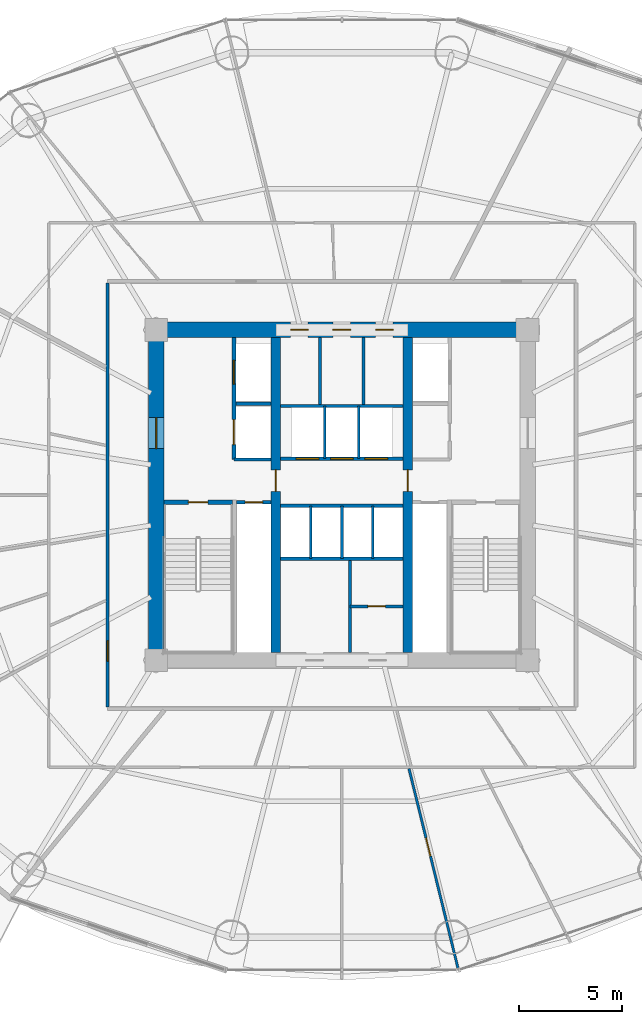
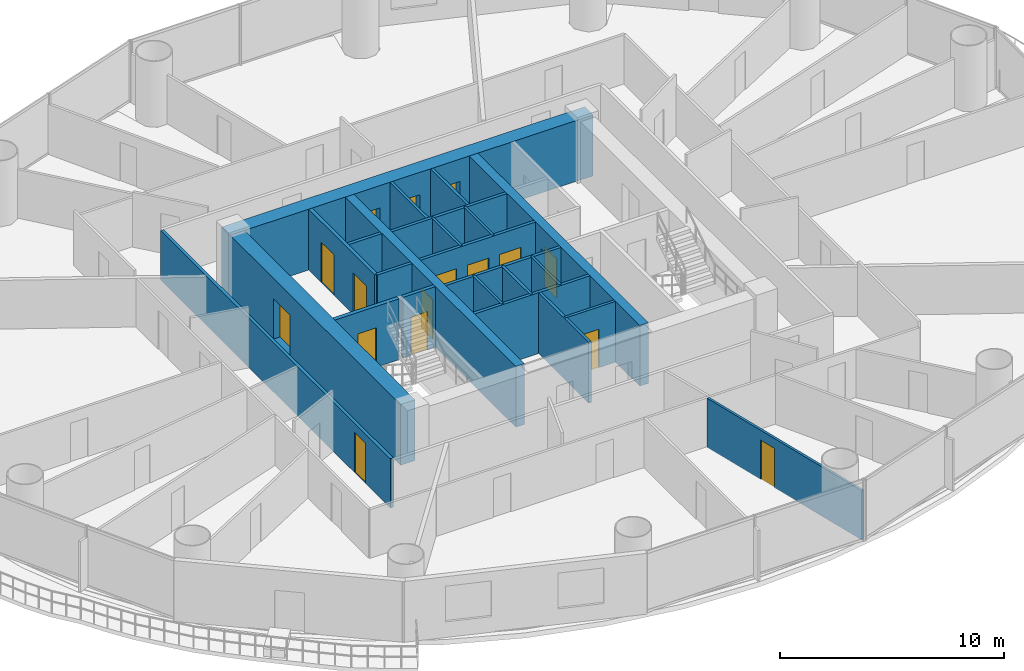
# One storey, part 23 of 29: 24 walls, 16 doors, 16 openings.
"""IFC4 building model written with IfcOpenShell, lengths in metres."""

from ifc_helpers import new_model, si_unit, direction, frame, frame_2d, origin, place, context, subcontext, project, spatial, rectangle, extrude, source, transform, mapped, material, layer, layer_set, type_object, element, fill, save


model = new_model("IFC4")

# Units and contexts
model_context = context("Model", 3, precision=1e-05, world=origin(), true_north=direction((-0.2419218956, 0.970295726276)))
body_context = subcontext(model_context, "Body", "Model", "MODEL_VIEW")
ifc_project = project(units=[si_unit("LENGTHUNIT", "METRE"), si_unit("AREAUNIT", "SQUARE_METRE"), si_unit("VOLUMEUNIT", "CUBIC_METRE"), si_unit("PLANEANGLEUNIT", "RADIAN"), si_unit("MASSUNIT", "GRAM", prefix="KILO")], contexts=[model_context])

# Site, building, storey
site_placement = place(None, origin())
site = spatial("IfcSite", under=ifc_project, at=site_placement, CompositionType="ELEMENT")
building_placement = place(site_placement, origin())
building = spatial("IfcBuilding", under=site, at=building_placement, Name="Cobrevalo Terracotta Tower", CompositionType="ELEMENT")
storey_placement = place(building_placement, frame((0.0, 0.0, 45.60009765625)))
storey = spatial("IfcBuildingStorey", under=building, at=storey_placement, Name="L11", CompositionType="ELEMENT", Elevation=45.60009765625)

# Wall, openings, doors
ifc_material_1 = material(Name="Concrete C60", Category="concrete")
ifc_layer_1 = layer(ifc_material_1, 0.75)
ifc_layer_set_1 = layer_set([ifc_layer_1], Name="Concrete C60")
wall_type_1 = type_object("IfcWallType", Name="Core shear wall 750 mm Concrete C60", PredefinedType="SHEAR", material=ifc_layer_set_1)
wall_1_placement = place(storey_placement, frame((28.625, 34.800048828125, 0.0), z_axis=(0.0, 0.0, 1.0), x_axis=(1.0, 0.0, 0.0)))
wall_1 = element("IfcWall", 1, at=wall_1_placement, inside=storey, type_object=wall_type_1, Name="L11 north core shear wall", PredefinedType="SHEAR", context=body_context, shape_type="SweptSolid", body=[
    extrude(rectangle(XDim=18.75, YDim=0.75, at=frame_2d((9.375, 0.0))), origin(), (0.0, 0.0, 1.0), 3.31982421875),
])
opening_1_placement = place(wall_1_placement, frame((6.887451171875, 0.0, 0.0)))
opening_1 = element("IfcOpeningElement", 2, at=opening_1_placement, cuts=wall_1, Name="Opening ID-22", PredefinedType="OPENING", context=body_context, shape_type="SweptSolid", body=[
    extrude(rectangle(XDim=0.85009765625, YDim=2.10009765625, at=frame_2d((0.425048828125, 1.050048828125))), frame((0.0, 0.385009765625, 0.0), z_axis=(0.0, -1.0, 0.0), x_axis=(1.0, 0.0, 0.0)), (0.0, 0.0, 1.0), 0.77001953125),
])
opening_2_placement = place(wall_1_placement, frame((8.945068359375, 0.0, 0.0)))
opening_2 = element("IfcOpeningElement", 3, at=opening_2_placement, cuts=wall_1, Name="Opening ID-07", PredefinedType="OPENING", context=body_context, shape_type="SweptSolid", body=[
    extrude(rectangle(XDim=0.860107421875, YDim=2.10009765625, at=frame_2d((0.43017578125, 1.050048828125))), frame((0.0, 0.385009765625, 0.0), z_axis=(0.0, -1.0, 0.0), x_axis=(1.0, 0.0, 0.0)), (0.0, 0.0, 1.0), 0.77001953125),
])
opening_3_placement = place(wall_1_placement, frame((11.012451171875, 0.0, 0.0)))
opening_3 = element("IfcOpeningElement", 4, at=opening_3_placement, cuts=wall_1, Name="Opening ID-22", PredefinedType="OPENING", context=body_context, shape_type="SweptSolid", body=[
    extrude(rectangle(XDim=0.85009765625, YDim=2.10009765625, at=frame_2d((0.425048828125, 1.050048828125))), frame((0.0, 0.385009765625, 0.0), z_axis=(0.0, -1.0, 0.0), x_axis=(1.0, 0.0, 0.0)), (0.0, 0.0, 1.0), 0.77001953125),
])
ifc_material_2 = material(Name="Powder-coated steel", Category="steel")
door_type_1 = type_object("IfcDoorType", Name="Riser shaft & meter closet fire access door 850x2100 EI 60", OperationType="NOTDEFINED", PredefinedType="DOOR", material=ifc_material_2)
shared_shape_1 = source(origin(), body_context, "Body", "SweptSolid", [
    extrude(rectangle(XDim=0.85009765625, YDim=2.10009765625, at=frame_2d((0.425048828125, 1.050048828125))), frame((0.0, 0.02490234375, 0.0), z_axis=(0.0, -1.0, 0.0), x_axis=(1.0, 0.0, 0.0)), (0.0, 0.0, 1.0), 0.050048828125),
])
door_1_placement = place(opening_1_placement, frame((0.85009765625, 0.0, 0.0), z_axis=(0.0, 0.0, 1.0), x_axis=(-1.0, 0.0, 0.0)))
door_1 = element("IfcDoor", 5, at=door_1_placement, inside=storey, type_object=door_type_1, Name="L11 core north service door Housekeeping Linen Store", OperationType="SINGLE_SWING_LEFT", OverallHeight=2.10009765625, OverallWidth=0.85009765625, PredefinedType="DOOR", context=body_context, shape_type="MappedRepresentation", body=[
    mapped(shared_shape_1, transform((0.0, 0.0, 0.0), scale=1.0)),
])
fill(opening_1, door_1)
door_2_placement = place(opening_3_placement, frame((0.85009765625, 0.0, 0.0), z_axis=(0.0, 0.0, 1.0), x_axis=(-1.0, 0.0, 0.0)))
door_2 = element("IfcDoor", 6, at=door_2_placement, inside=storey, type_object=door_type_1, Name="L11 core north service door Floor BMS Mechanical Plant", OperationType="SINGLE_SWING_LEFT", OverallHeight=2.10009765625, OverallWidth=0.85009765625, PredefinedType="DOOR", context=body_context, shape_type="MappedRepresentation", body=[
    mapped(shared_shape_1, transform((0.0, 0.0, 0.0), scale=1.0)),
])
fill(opening_3, door_2)
ifc_material_3 = material(Name="Fire-rated moisture-sealed timber", Category="wood")
door_type_2 = type_object("IfcDoorType", Name="Core & podium fire-rated accessible WC door 860x2100 EI 60", OperationType="NOTDEFINED", PredefinedType="DOOR", material=ifc_material_3)
shared_shape_2 = source(origin(), body_context, "Body", "SweptSolid", [
    extrude(rectangle(XDim=0.860107421875, YDim=2.10009765625, at=frame_2d((0.43017578125, 1.050048828125))), frame((0.0, 0.02490234375, 0.0), z_axis=(0.0, -1.0, 0.0), x_axis=(1.0, 0.0, 0.0)), (0.0, 0.0, 1.0), 0.050048828125),
])
door_3_placement = place(opening_2_placement, frame((0.860107421875, 0.0, 0.0), z_axis=(0.0, 0.0, 1.0), x_axis=(-1.0, 0.0, 0.0)))
door_3 = element("IfcDoor", 7, at=door_3_placement, inside=storey, type_object=door_type_2, Name="L11 core north service door Floor Service Toilet WC", OperationType="SINGLE_SWING_RIGHT", OverallHeight=2.10009765625, OverallWidth=0.860107421875, PredefinedType="DOOR", context=body_context, shape_type="MappedRepresentation", body=[
    mapped(shared_shape_2, transform((0.0, 0.0, 0.0), scale=1.0)),
])
fill(opening_2, door_3)

# Wall, opening, door
wall_2_placement = place(storey_placement, frame((29.0, 19.175048828125, 0.0), z_axis=(0.0, 0.0, 1.0), x_axis=(0.0, 1.0, 0.0)))
wall_2 = element("IfcWall", 8, at=wall_2_placement, inside=storey, type_object=wall_type_1, Name="L11 west core shear wall", PredefinedType="SHEAR", context=body_context, shape_type="SweptSolid", body=[
    extrude(rectangle(XDim=15.25, YDim=0.75, at=frame_2d((7.625, 0.0))), origin(), (0.0, 0.0, 1.0), 3.31982421875),
])
opening_4_placement = place(wall_2_placement, frame((9.875, 0.0, 0.0)))
opening_4 = element("IfcOpeningElement", 9, at=opening_4_placement, cuts=wall_2, Name="Opening ID-14", PredefinedType="OPENING", context=body_context, shape_type="SweptSolid", body=[
    extrude(rectangle(XDim=1.5, YDim=2.199951171875, at=frame_2d((0.75, 1.10009765625))), frame((0.0, 0.385009765625, 0.0), z_axis=(0.0, -1.0, 0.0), x_axis=(1.0, 0.0, 0.0)), (0.0, 0.0, 1.0), 0.77001953125),
])
ifc_material_4 = material(Name="Galvanized fire-rated steel", Category="steel")
door_type_3 = type_object("IfcDoorType", Name="Core cross-lobby double fire door 1500x2200 EI 90", OperationType="NOTDEFINED", PredefinedType="DOOR", material=ifc_material_4)
shared_shape_3 = source(origin(), body_context, "Body", "SweptSolid", [
    extrude(rectangle(XDim=1.5, YDim=2.199951171875, at=frame_2d((0.75, 1.10009765625))), frame((0.0, 0.02490234375, 0.0), z_axis=(0.0, -1.0, 0.0), x_axis=(1.0, 0.0, 0.0)), (0.0, 0.0, 1.0), 0.050048828125),
])
door_4_placement = place(opening_4_placement, origin())
door_4 = element("IfcDoor", 10, at=door_4_placement, inside=storey, type_object=door_type_3, Name="L11 west firefighting lobby entrance door", OperationType="DOUBLE_DOOR_SINGLE_SWING", OverallHeight=2.199951171875, OverallWidth=1.5, PredefinedType="DOOR", context=body_context, shape_type="MappedRepresentation", body=[
    mapped(shared_shape_3, transform((0.0, 0.0, 0.0), scale=1.0)),
])
fill(opening_4, door_4)

# Walls
ifc_material_5 = material(Name="Gypsum board on steel stud", Category="steel")
ifc_layer_2 = layer(ifc_material_5, 0.159912109375)
ifc_layer_set_2 = layer_set([ifc_layer_2], Name="Gypsum board on steel stud")
wall_type_2 = type_object("IfcWallType", Name="Fire-rated corridor acoustic partition wall 160 mm", PredefinedType="PARTITIONING", material=ifc_layer_set_2)
wall_3_placement = place(storey_placement, frame((32.860107421875, 31.219970703125, 0.0), z_axis=(0.0, 0.0, 1.0), x_axis=(1.0, 0.0, 0.0)))
element("IfcWall", 11, at=wall_3_placement, inside=storey, type_object=wall_type_2, Name="L11 interior partition IW-L11-FF1-M", PredefinedType="PARTITIONING", context=body_context, shape_type="SweptSolid", body=[
    extrude(rectangle(XDim=1.71484375, YDim=0.159912109375, at=frame_2d((0.857421875, 0.0))), origin(), (0.0, 0.0, 1.0), 3.31982421875),
])
wall_4_placement = place(storey_placement, frame((32.77001953125, 28.52001953125, 0.0), z_axis=(0.0, 0.0, 1.0), x_axis=(1.0, 0.0, 0.0)))
element("IfcWall", 12, at=wall_4_placement, inside=storey, type_object=wall_type_2, Name="L11 interior partition IW-L11-FF1-S", PredefinedType="PARTITIONING", context=body_context, shape_type="SweptSolid", body=[
    extrude(rectangle(XDim=1.804931640625, YDim=0.159912109375, at=frame_2d((0.90234375, 0.0))), origin(), (0.0, 0.0, 1.0), 3.31982421875),
])

# Wall, openings, doors
wall_5_placement = place(storey_placement, frame((35.02490234375, 28.56005859375, 0.0), z_axis=(0.0, 0.0, 1.0), x_axis=(1.0, 0.0, 0.0)))
wall_5 = element("IfcWall", 13, at=wall_5_placement, inside=storey, type_object=wall_type_2, Name="L11 interior partition IW-L11-LB-S", PredefinedType="PARTITIONING", context=body_context, shape_type="SweptSolid", body=[
    extrude(rectangle(XDim=5.9501953125, YDim=0.159912109375, at=frame_2d((2.97509765625, 0.0))), origin(), (0.0, 0.0, 1.0), 3.31982421875),
])
opening_5_placement = place(wall_5_placement, frame((0.760009765625, 0.0, 0.0)))
opening_5 = element("IfcOpeningElement", 14, at=opening_5_placement, cuts=wall_5, Name="Opening LD-01", PredefinedType="OPENING", context=body_context, shape_type="SweptSolid", body=[
    extrude(rectangle(XDim=1.10009765625, YDim=2.199951171875, at=frame_2d((0.550048828125, 1.10009765625))), frame((0.0, 0.08984375, 0.0), z_axis=(0.0, -1.0, 0.0), x_axis=(1.0, 0.0, 0.0)), (0.0, 0.0, 1.0), 0.179931640625),
])
opening_6_placement = place(wall_5_placement, frame((2.425048828125, 0.0, 0.0)))
opening_6 = element("IfcOpeningElement", 15, at=opening_6_placement, cuts=wall_5, Name="Opening LD-01", PredefinedType="OPENING", context=body_context, shape_type="SweptSolid", body=[
    extrude(rectangle(XDim=1.10009765625, YDim=2.199951171875, at=frame_2d((0.550048828125, 1.10009765625))), frame((0.0, 0.08984375, 0.0), z_axis=(0.0, -1.0, 0.0), x_axis=(1.0, 0.0, 0.0)), (0.0, 0.0, 1.0), 0.179931640625),
])
opening_7_placement = place(wall_5_placement, frame((4.090087890625, 0.0, 0.0)))
opening_7 = element("IfcOpeningElement", 16, at=opening_7_placement, cuts=wall_5, Name="Opening LD-01", PredefinedType="OPENING", context=body_context, shape_type="SweptSolid", body=[
    extrude(rectangle(XDim=1.10009765625, YDim=2.199951171875, at=frame_2d((0.550048828125, 1.10009765625))), frame((0.0, 0.08984375, 0.0), z_axis=(0.0, -1.0, 0.0), x_axis=(1.0, 0.0, 0.0)), (0.0, 0.0, 1.0), 0.179931640625),
])
ifc_material_6 = material(Name="Brushed stainless steel", Category="steel")
door_type_4 = type_object("IfcDoorType", Name="Passenger lift landing bi-parting sliding door 1100x2200 EI 90", OperationType="DOUBLE_DOOR_SLIDING", PredefinedType="DOOR", material=ifc_material_6)
shared_shape_4 = source(origin(), body_context, "Body", "SweptSolid", [
    extrude(rectangle(XDim=1.10009765625, YDim=2.199951171875, at=frame_2d((0.550048828125, 1.10009765625))), frame((0.0, 0.02490234375, 0.0), z_axis=(0.0, -1.0, 0.0), x_axis=(1.0, 0.0, 0.0)), (0.0, 0.0, 1.0), 0.050048828125),
])
door_5_placement = place(opening_5_placement, origin())
door_5 = element("IfcDoor", 17, at=door_5_placement, inside=storey, type_object=door_type_4, Name="L11 lift landing door PL-L1", OperationType="DOUBLE_DOOR_SLIDING", OverallHeight=2.199951171875, OverallWidth=1.10009765625, PredefinedType="DOOR", context=body_context, shape_type="MappedRepresentation", body=[
    mapped(shared_shape_4, transform((0.0, 0.0, 0.0), scale=1.0)),
])
fill(opening_5, door_5)
door_6_placement = place(opening_6_placement, origin())
door_6 = element("IfcDoor", 18, at=door_6_placement, inside=storey, type_object=door_type_4, Name="L11 lift landing door PL-L2", OperationType="DOUBLE_DOOR_SLIDING", OverallHeight=2.199951171875, OverallWidth=1.10009765625, PredefinedType="DOOR", context=body_context, shape_type="MappedRepresentation", body=[
    mapped(shared_shape_4, transform((0.0, 0.0, 0.0), scale=1.0)),
])
fill(opening_6, door_6)
door_7_placement = place(opening_7_placement, origin())
door_7 = element("IfcDoor", 19, at=door_7_placement, inside=storey, type_object=door_type_4, Name="L11 lift landing door PL-L3", OperationType="DOUBLE_DOOR_SLIDING", OverallHeight=2.199951171875, OverallWidth=1.10009765625, PredefinedType="DOOR", context=body_context, shape_type="MappedRepresentation", body=[
    mapped(shared_shape_4, transform((0.0, 0.0, 0.0), scale=1.0)),
])
fill(opening_7, door_7)

# Walls
for number, where, z_axis, x_axis, name in (
    (20, (35.02490234375, 31.1201171875, 0.0), (0.0, 0.0, 1.0), (1.0, 0.0, 0.0), "L11 interior partition IW-L11-LB-N"),
    (21, (35.02490234375, 26.280029296875, 0.0), (0.0, 0.0, 1.0), (1.0, 0.0, 0.0), "L11 interior partition IW-L11-MB-N"),
    (22, (35.02490234375, 23.719970703125, 0.0), (0.0, 0.0, 1.0), (1.0, 0.0, 0.0), "L11 interior partition IW-L11-MB-S"),
):
    element("IfcWall", number, at=place(storey_placement, frame(where, z_axis=z_axis, x_axis=x_axis)), inside=storey, type_object=wall_type_2, Name=name, PredefinedType="PARTITIONING", context=body_context, shape_type="SweptSolid", body=[
        extrude(rectangle(XDim=5.9501953125, YDim=0.159912109375, at=frame_2d((2.97509765625, 0.0))), origin(), (0.0, 0.0, 1.0), 3.31982421875),
    ])

# Wall, opening, door
wall_6_placement = place(storey_placement, frame((26.64501953125, 16.52490234375, 0.0), z_axis=(0.0, 0.0, 1.0), x_axis=(0.0, 1.0, 0.0)))
wall_6 = element("IfcWall", 23, at=wall_6_placement, inside=storey, type_object=wall_type_2, Name="L11 interior partition IW-L11-COR-W", PredefinedType="PARTITIONING", context=body_context, shape_type="SweptSolid", body=[
    extrude(rectangle(XDim=20.550048828125, YDim=0.159912109375, at=frame_2d((10.27490234375, 0.0))), origin(), (0.0, 0.0, 1.0), 2.68798828125),
])
opening_8_placement = place(wall_6_placement, frame((2.224365234375, 0.0, 0.0)))
opening_8 = element("IfcOpeningElement", 24, at=opening_8_placement, cuts=wall_6, Name="Opening ID-05", PredefinedType="OPENING", context=body_context, shape_type="SweptSolid", body=[
    extrude(rectangle(XDim=0.97998046875, YDim=2.199951171875, at=frame_2d((0.489990234375, 1.10009765625))), frame((0.0, 0.08984375, 0.0), z_axis=(0.0, -1.0, 0.0), x_axis=(1.0, 0.0, 0.0)), (0.0, 0.0, 1.0), 0.179931640625),
])
ifc_material_7 = material(Name="Solid hardwood timber", Category="wood")
door_type_5 = type_object("IfcDoorType", Name="Residence entrance fire-rated acoustic timber door 980x2200 EI 60", OperationType="NOTDEFINED", PredefinedType="DOOR", material=ifc_material_7)
shared_shape_5 = source(origin(), body_context, "Body", "SweptSolid", [
    extrude(rectangle(XDim=0.97998046875, YDim=2.199951171875, at=frame_2d((0.489990234375, 1.10009765625))), frame((0.0, 0.02490234375, 0.0), z_axis=(0.0, -1.0, 0.0), x_axis=(1.0, 0.0, 0.0)), (0.0, 0.0, 1.0), 0.050048828125),
])
door_8_placement = place(opening_8_placement, origin())
door_8 = element("IfcDoor", 25, at=door_8_placement, inside=storey, type_object=door_type_5, Name="Flat L11C fire-rated apartment entrance door", OperationType="SINGLE_SWING_LEFT", OverallHeight=2.199951171875, OverallWidth=0.97998046875, PredefinedType="DOOR", context=body_context, shape_type="MappedRepresentation", body=[
    mapped(shared_shape_5, transform((0.0, 0.0, 0.0), scale=1.0)),
])
fill(opening_8, door_8)

ifc_layer_3 = layer(ifc_material_5, 0.179931640625)
ifc_layer_set_3 = layer_set([ifc_layer_3], Name="Gypsum board on steel stud")
wall_type_3 = type_object("IfcWallType", Name="Fire-rated shaft & lobby acoustic partition wall 180 mm", PredefinedType="PARTITIONING", material=ifc_layer_set_3)
wall_7_placement = place(storey_placement, frame((32.89990234375, 26.449951171875, 0.0), z_axis=(0.0, 0.0, 1.0), x_axis=(1.0, 0.0, 0.0)))
wall_7 = element("IfcWall", 26, at=wall_7_placement, inside=storey, type_object=wall_type_3, Name="L11 interior partition IW-L11-RSW-N", PredefinedType="PARTITIONING", context=body_context, shape_type="SweptSolid", body=[
    extrude(rectangle(XDim=1.675048828125, YDim=0.179931640625, at=frame_2d((0.83740234375, 0.0))), origin(), (0.0, 0.0, 1.0), 3.31982421875),
])
opening_9_placement = place(wall_7_placement, frame((0.41259765625, 0.0, 0.0)))
opening_9 = element("IfcOpeningElement", 27, at=opening_9_placement, cuts=wall_7, Name="Opening ID-22", PredefinedType="OPENING", context=body_context, shape_type="SweptSolid", body=[
    extrude(rectangle(XDim=0.85009765625, YDim=2.10009765625, at=frame_2d((0.425048828125, 1.050048828125))), frame((0.0, 0.10009765625, 0.0), z_axis=(0.0, -1.0, 0.0), x_axis=(1.0, 0.0, 0.0)), (0.0, 0.0, 1.0), 0.199951171875),
])
door_9_placement = place(opening_9_placement, origin())
door_9 = element("IfcDoor", 28, at=door_9_placement, inside=storey, type_object=door_type_1, Name="L11 riser access door RSW", OperationType="SINGLE_SWING_LEFT", OverallHeight=2.10009765625, OverallWidth=0.85009765625, PredefinedType="DOOR", context=body_context, shape_type="MappedRepresentation", body=[
    mapped(shared_shape_1, transform((0.0, 0.0, 0.0), scale=1.0)),
])
fill(opening_9, door_9)

# Wall, openings, doors
wall_8_placement = place(storey_placement, frame((32.77001953125, 28.52001953125, 0.0), z_axis=(0.0, 0.0, 1.0), x_axis=(0.0, 1.0, 0.0)))
wall_8 = element("IfcWall", 29, at=wall_8_placement, inside=storey, type_object=wall_type_3, Name="L11 interior partition IW-L11-FF1-W", PredefinedType="PARTITIONING", context=body_context, shape_type="SweptSolid", body=[
    extrude(rectangle(XDim=5.905029296875, YDim=0.179931640625, at=frame_2d((2.95263671875, 0.0))), origin(), (0.0, 0.0, 1.0), 3.31982421875),
])
opening_10_placement = place(wall_8_placement, frame((3.655029296875, 0.0, 0.0)))
opening_10 = element("IfcOpeningElement", 30, at=opening_10_placement, cuts=wall_8, Name="Opening LD-02", PredefinedType="OPENING", context=body_context, shape_type="SweptSolid", body=[
    extrude(rectangle(XDim=1.14990234375, YDim=2.199951171875, at=frame_2d((0.574951171875, 1.10009765625))), frame((0.0, 0.10009765625, 0.0), z_axis=(0.0, -1.0, 0.0), x_axis=(1.0, 0.0, 0.0)), (0.0, 0.0, 1.0), 0.199951171875),
])
opening_11_placement = place(wall_8_placement, frame((0.72998046875, 0.0, 0.0)))
opening_11 = element("IfcOpeningElement", 31, at=opening_11_placement, cuts=wall_8, Name="Opening LD-03", PredefinedType="OPENING", context=body_context, shape_type="SweptSolid", body=[
    extrude(rectangle(XDim=1.199951171875, YDim=2.25, at=frame_2d((0.60009765625, 1.125))), frame((0.0, 0.10009765625, 0.0), z_axis=(0.0, -1.0, 0.0), x_axis=(1.0, 0.0, 0.0)), (0.0, 0.0, 1.0), 0.199951171875),
])
door_type_6 = type_object("IfcDoorType", Name="Firefighting lift landing bi-parting sliding door 1150x2200 EI 120", OperationType="DOUBLE_DOOR_SLIDING", PredefinedType="DOOR", material=ifc_material_6)
shared_shape_6 = source(origin(), body_context, "Body", "SweptSolid", [
    extrude(rectangle(XDim=1.14990234375, YDim=2.199951171875, at=frame_2d((0.574951171875, 1.10009765625))), frame((0.0, 0.02490234375, 0.0), z_axis=(0.0, -1.0, 0.0), x_axis=(1.0, 0.0, 0.0)), (0.0, 0.0, 1.0), 0.050048828125),
])
door_10_placement = place(opening_10_placement, origin())
door_10 = element("IfcDoor", 32, at=door_10_placement, inside=storey, type_object=door_type_6, Name="L11 lift landing door FF-1", OperationType="DOUBLE_DOOR_SLIDING", OverallHeight=2.199951171875, OverallWidth=1.14990234375, PredefinedType="DOOR", context=body_context, shape_type="MappedRepresentation", body=[
    mapped(shared_shape_6, transform((0.0, 0.0, 0.0), scale=1.0)),
])
fill(opening_10, door_10)
door_type_7 = type_object("IfcDoorType", Name="Service lift landing bi-parting sliding door 1200x2250 EI 120", OperationType="DOUBLE_DOOR_SLIDING", PredefinedType="DOOR", material=ifc_material_6)
shared_shape_7 = source(origin(), body_context, "Body", "SweptSolid", [
    extrude(rectangle(XDim=1.199951171875, YDim=2.25, at=frame_2d((0.60009765625, 1.125))), frame((0.0, 0.02490234375, 0.0), z_axis=(0.0, -1.0, 0.0), x_axis=(1.0, 0.0, 0.0)), (0.0, 0.0, 1.0), 0.050048828125),
])
door_11_placement = place(opening_11_placement, origin())
door_11 = element("IfcDoor", 33, at=door_11_placement, inside=storey, type_object=door_type_7, Name="L11 lift landing door SV-1", OperationType="DOUBLE_DOOR_SLIDING", OverallHeight=2.25, OverallWidth=1.199951171875, PredefinedType="DOOR", context=body_context, shape_type="MappedRepresentation", body=[
    mapped(shared_shape_7, transform((0.0, 0.0, 0.0), scale=1.0)),
])
fill(opening_11, door_11)

# Walls
ifc_material_8 = material(Name="Autoclaved aerated concrete block", Category="concrete")
ifc_layer_4 = layer(ifc_material_8, 0.1201171875)
ifc_layer_set_4 = layer_set([ifc_layer_4], Name="Autoclaved aerated concrete block")
wall_type_4 = type_object("IfcWallType", Name="Fire-rated wet-room & core service partition 120 mm", PredefinedType="PARTITIONING", material=ifc_layer_set_4)
for number, where, z_axis, x_axis, name in (
    (34, (37.169921875, 28.56005859375, 0.0), (0.0, 0.0, 1.0), (0.0, 1.0, 0.0), "L11 interior partition IW-L11-LB-D1"),
    (35, (38.830078125, 28.56005859375, 0.0), (0.0, 0.0, 1.0), (0.0, 1.0, 0.0), "L11 interior partition IW-L11-LB-D2"),
    (36, (36.5, 23.719970703125, 0.0), (0.0, 0.0, 1.0), (0.0, 1.0, 0.0), "L11 interior partition IW-L11-MB-D1"),
    (37, (39.5, 23.719970703125, 0.0), (0.0, 0.0, 1.0), (0.0, 1.0, 0.0), "L11 interior partition IW-L11-MB-D3"),
):
    element("IfcWall", number, at=place(storey_placement, frame(where, z_axis=z_axis, x_axis=x_axis)), inside=storey, type_object=wall_type_4, Name=name, PredefinedType="PARTITIONING", context=body_context, shape_type="SweptSolid", body=[
        extrude(rectangle(XDim=2.56005859375, YDim=0.1201171875, at=frame_2d((1.280029296875, 0.0))), origin(), (0.0, 0.0, 1.0), 3.31982421875),
    ])

# Wall, opening, door
ifc_material_9 = material(Name="Concrete C55", Category="concrete")
ifc_layer_5 = layer(ifc_material_9, 0.449951171875)
ifc_layer_set_5 = layer_set([ifc_layer_5], Name="Concrete C55")
wall_type_5 = type_object("IfcWallType", Name="Internal core shear web wall 450 mm Concrete C55", PredefinedType="SHEAR", material=ifc_layer_set_5)
wall_9_placement = place(storey_placement, frame((34.800048828125, 19.175048828125, 0.0), z_axis=(0.0, 0.0, 1.0), x_axis=(0.0, 1.0, 0.0)))
wall_9 = element("IfcWall", 38, at=wall_9_placement, inside=storey, type_object=wall_type_5, Name="L11 internal core shear wall WEB-W", PredefinedType="SHEAR", context=body_context, shape_type="SweptSolid", body=[
    extrude(rectangle(XDim=15.25, YDim=0.449951171875, at=frame_2d((7.625, 0.0))), origin(), (0.0, 0.0, 1.0), 3.31982421875),
])
opening_12_placement = place(wall_9_placement, frame((7.800048828125, 0.0, 0.0)))
opening_12 = element("IfcOpeningElement", 39, at=opening_12_placement, cuts=wall_9, Name="Opening ID-11", PredefinedType="OPENING", context=body_context, shape_type="SweptSolid", body=[
    extrude(rectangle(XDim=1.050048828125, YDim=2.14990234375, at=frame_2d((0.52490234375, 1.074951171875))), frame((0.0, 0.23486328125, 0.0), z_axis=(0.0, -1.0, 0.0), x_axis=(1.0, 0.0, 0.0)), (0.0, 0.0, 1.0), 0.469970703125),
])
door_type_8 = type_object("IfcDoorType", Name="Core concourse cross fire door 1050x2150 EI 90", OperationType="NOTDEFINED", PredefinedType="DOOR", material=ifc_material_4)
shared_shape_8 = source(origin(), body_context, "Body", "SweptSolid", [
    extrude(rectangle(XDim=1.050048828125, YDim=2.14990234375, at=frame_2d((0.52490234375, 1.074951171875))), frame((0.0, 0.02490234375, 0.0), z_axis=(0.0, -1.0, 0.0), x_axis=(1.0, 0.0, 0.0)), (0.0, 0.0, 1.0), 0.050048828125),
])
door_12_placement = place(opening_12_placement, origin())
door_12 = element("IfcDoor", 40, at=door_12_placement, inside=storey, type_object=door_type_8, Name="L11 west core concourse cross door", OperationType="SINGLE_SWING_LEFT", OverallHeight=2.14990234375, OverallWidth=1.050048828125, PredefinedType="DOOR", context=body_context, shape_type="MappedRepresentation", body=[
    mapped(shared_shape_8, transform((0.0, 0.0, 0.0), scale=1.0)),
])
fill(opening_12, door_12)

wall_10_placement = place(storey_placement, frame((41.199951171875, 19.175048828125, 0.0), z_axis=(0.0, 0.0, 1.0), x_axis=(0.0, 1.0, 0.0)))
wall_10 = element("IfcWall", 41, at=wall_10_placement, inside=storey, type_object=wall_type_5, Name="L11 internal core shear wall WEB-E", PredefinedType="SHEAR", context=body_context, shape_type="SweptSolid", body=[
    extrude(rectangle(XDim=15.25, YDim=0.449951171875, at=frame_2d((7.625, 0.0))), origin(), (0.0, 0.0, 1.0), 3.31982421875),
])
opening_13_placement = place(wall_10_placement, frame((7.800048828125, 0.0, 0.0)))
opening_13 = element("IfcOpeningElement", 42, at=opening_13_placement, cuts=wall_10, Name="Opening ID-11", PredefinedType="OPENING", context=body_context, shape_type="SweptSolid", body=[
    extrude(rectangle(XDim=1.050048828125, YDim=2.14990234375, at=frame_2d((0.52490234375, 1.074951171875))), frame((0.0, 0.23486328125, 0.0), z_axis=(0.0, -1.0, 0.0), x_axis=(1.0, 0.0, 0.0)), (0.0, 0.0, 1.0), 0.469970703125),
])
door_13_placement = place(opening_13_placement, frame((1.050048828125, 0.0, 0.0), z_axis=(0.0, 0.0, 1.0), x_axis=(-1.0, 0.0, 0.0)))
door_13 = element("IfcDoor", 43, at=door_13_placement, inside=storey, type_object=door_type_8, Name="L11 east core concourse cross door", OperationType="SINGLE_SWING_RIGHT", OverallHeight=2.14990234375, OverallWidth=1.050048828125, PredefinedType="DOOR", context=body_context, shape_type="MappedRepresentation", body=[
    mapped(shared_shape_8, transform((0.0, 0.0, 0.0), scale=1.0)),
])
fill(opening_13, door_13)

# Walls
ifc_layer_6 = layer(ifc_material_8, 0.139892578125)
ifc_layer_set_6 = layer_set([ifc_layer_6], Name="Autoclaved aerated concrete block")
wall_type_6 = type_object("IfcWallType", Name="Moisture-resistant wet-room & core service partition 140 mm", PredefinedType="PARTITIONING", material=ifc_layer_set_6)
for number, where, z_axis, x_axis, name in (
    (44, (36.949951171875, 31.199951171875, 0.0), (0.0, 0.0, 1.0), (0.0, 1.0, 0.0), "L11 interior partition IW-L11-KVN-A"),
    (45, (39.050048828125, 31.199951171875, 0.0), (0.0, 0.0, 1.0), (0.0, 1.0, 0.0), "L11 interior partition IW-L11-KVN-B"),
):
    element("IfcWall", number, at=place(storey_placement, frame(where, z_axis=z_axis, x_axis=x_axis)), inside=storey, type_object=wall_type_6, Name=name, PredefinedType="PARTITIONING", context=body_context, shape_type="SweptSolid", body=[
        extrude(rectangle(XDim=3.22509765625, YDim=0.139892578125, at=frame_2d((1.612548828125, 0.0))), origin(), (0.0, 0.0, 1.0), 3.31982421875),
    ])
wall_11_placement = place(storey_placement, frame((38.0, 23.719970703125, 0.0), z_axis=(0.0, 0.0, 1.0), x_axis=(0.0, 1.0, 0.0)))
element("IfcWall", 46, at=wall_11_placement, inside=storey, type_object=wall_type_6, Name="L11 interior partition IW-L11-MB-D2", PredefinedType="PARTITIONING", context=body_context, shape_type="SweptSolid", body=[
    extrude(rectangle(XDim=2.56005859375, YDim=0.139892578125, at=frame_2d((1.280029296875, 0.0))), origin(), (0.0, 0.0, 1.0), 3.31982421875),
])
wall_12_placement = place(storey_placement, frame((38.39990234375, 19.175048828125, 0.0), z_axis=(0.0, 0.0, 1.0), x_axis=(0.0, 1.0, 0.0)))
element("IfcWall", 47, at=wall_12_placement, inside=storey, type_object=wall_type_6, Name="L11 interior partition IW-L11-KVS-L1", PredefinedType="PARTITIONING", context=body_context, shape_type="SweptSolid", body=[
    extrude(rectangle(XDim=4.46484375, YDim=0.139892578125, at=frame_2d((2.232421875, 0.0))), origin(), (0.0, 0.0, 1.0), 3.31982421875),
])

# Wall, opening, door
wall_13_placement = place(storey_placement, frame((38.39990234375, 21.407470703125, 0.0), z_axis=(0.0, 0.0, 1.0), x_axis=(1.0, 0.0, 0.0)))
wall_13 = element("IfcWall", 48, at=wall_13_placement, inside=storey, type_object=wall_type_6, Name="L11 interior partition IW-L11-KVS-L2", PredefinedType="PARTITIONING", context=body_context, shape_type="SweptSolid", body=[
    extrude(rectangle(XDim=2.5751953125, YDim=0.139892578125, at=frame_2d((1.28759765625, 0.0))), origin(), (0.0, 0.0, 1.0), 3.31982421875),
])
opening_14_placement = place(wall_13_placement, frame((0.862548828125, 0.0, 0.0)))
opening_14 = element("IfcOpeningElement", 49, at=opening_14_placement, cuts=wall_13, Name="Opening ID-22", PredefinedType="OPENING", context=body_context, shape_type="SweptSolid", body=[
    extrude(rectangle(XDim=0.85009765625, YDim=2.10009765625, at=frame_2d((0.425048828125, 1.050048828125))), frame((0.0, 0.080078125, 0.0), z_axis=(0.0, -1.0, 0.0), x_axis=(1.0, 0.0, 0.0)), (0.0, 0.0, 1.0), 0.159912109375),
])
door_14_placement = place(opening_14_placement, origin())
door_14 = element("IfcDoor", 50, at=door_14_placement, inside=storey, type_object=door_type_1, Name="L11 core KVS-L2 inner door", OperationType="SINGLE_SWING_LEFT", OverallHeight=2.10009765625, OverallWidth=0.85009765625, PredefinedType="DOOR", context=body_context, shape_type="MappedRepresentation", body=[
    mapped(shared_shape_1, transform((0.0, 0.0, 0.0), scale=1.0)),
])
fill(opening_14, door_14)

ifc_layer_7 = layer(ifc_material_5, 0.1201171875)
ifc_layer_set_7 = layer_set([ifc_layer_7], Name="Gypsum board on steel stud")
wall_type_7 = type_object("IfcWallType", Name="Residential internal acoustic stud partition 120 mm", PredefinedType="PARTITIONING", material=ifc_layer_set_7)
wall_14_placement = place(storey_placement, frame((41.253662109375, 13.544677734375, 0.0), z_axis=(0.0, 0.0, 1.0), x_axis=(0.238391877067, -0.971169044476, 0.0)))
wall_14 = element("IfcWall", 51, at=wall_14_placement, inside=storey, type_object=wall_type_7, Name="L11 interior partition IW-L11-U4-ORAD2M1", PredefinedType="PARTITIONING", context=body_context, shape_type="SweptSolid", body=[
    extrude(rectangle(XDim=9.972900390625, YDim=0.1201171875, at=frame_2d((4.986328125, 0.0))), origin(), (0.0, 0.0, 1.0), 2.68798828125),
])
opening_15_placement = place(wall_14_placement, frame((3.4619140625, 0.0, 0.0)))
opening_15 = element("IfcOpeningElement", 52, at=opening_15_placement, cuts=wall_14, Name="Opening ID-12", PredefinedType="OPENING", context=body_context, shape_type="SweptSolid", body=[
    extrude(rectangle(XDim=0.89990234375, YDim=2.14990234375, at=frame_2d((0.449951171875, 1.074951171875))), frame((0.0, 0.070068359375, 0.0), z_axis=(0.0, -1.0, 0.0), x_axis=(1.0, 0.0, 0.0)), (0.0, 0.0, 1.0), 0.14013671875),
])
ifc_material_10 = material(Name="Engineered timber", Category="wood")
door_type_9 = type_object("IfcDoorType", Name="Internal residence & suite timber door 900x2150", OperationType="NOTDEFINED", PredefinedType="DOOR", material=ifc_material_10)
shared_shape_9 = source(origin(), body_context, "Body", "SweptSolid", [
    extrude(rectangle(XDim=0.89990234375, YDim=2.14990234375, at=frame_2d((0.449951171875, 1.074951171875))), frame((0.0, 0.02490234375, 0.0), z_axis=(0.0, -1.0, 0.0), x_axis=(1.0, 0.0, 0.0)), (0.0, 0.0, 1.0), 0.050048828125),
])
door_15_placement = place(opening_15_placement, frame((0.89990234375, 0.0, 0.0), z_axis=(0.0, 0.0, 1.0), x_axis=(-1.0, 0.0, 0.0)))
door_15 = element("IfcDoor", 53, at=door_15_placement, inside=storey, type_object=door_type_9, Name="Flat L11D Master Bedroom internal door", OperationType="SINGLE_SWING_LEFT", OverallHeight=2.14990234375, OverallWidth=0.89990234375, PredefinedType="DOOR", context=body_context, shape_type="MappedRepresentation", body=[
    mapped(shared_shape_9, transform((0.0, 0.0, 0.0), scale=1.0)),
])
fill(opening_15, door_15)

ifc_material_11 = material(Name="Concrete C50", Category="concrete")
ifc_layer_8 = layer(ifc_material_11, 0.199951171875)
ifc_layer_set_8 = layer_set([ifc_layer_8], Name="Concrete C50")
wall_type_8 = type_object("IfcWallType", Name="Structural core & podium stair-shaft RC wall 200 mm Concrete C50", PredefinedType="SOLIDWALL", material=ifc_layer_set_8)
wall_15_placement = place(storey_placement, frame((29.375, 26.449951171875, 0.0), z_axis=(0.0, 0.0, 1.0), x_axis=(1.0, 0.0, 0.0)))
wall_15 = element("IfcWall", 54, at=wall_15_placement, inside=storey, type_object=wall_type_8, Name="L11 ST-1 north structural shaft wall", PredefinedType="SOLIDWALL", context=body_context, shape_type="SweptSolid", body=[
    extrude(rectangle(XDim=3.320068359375, YDim=0.199951171875, at=frame_2d((1.66015625, 0.0))), origin(), (0.0, 0.0, 1.0), 3.31982421875),
])
opening_16_placement = place(wall_15_placement, frame((1.18505859375, 0.0, 0.0)))
opening_16 = element("IfcOpeningElement", 55, at=opening_16_placement, cuts=wall_15, Name="Opening ID-04", PredefinedType="OPENING", context=body_context, shape_type="SweptSolid", body=[
    extrude(rectangle(XDim=0.949951171875, YDim=2.14990234375, at=frame_2d((0.47509765625, 1.074951171875))), frame((0.0, 0.10986328125, 0.0), z_axis=(0.0, -1.0, 0.0), x_axis=(1.0, 0.0, 0.0)), (0.0, 0.0, 1.0), 0.219970703125),
])
door_type_10 = type_object("IfcDoorType", Name="Stair & firefighting lobby fire door 950x2150 EI 90", OperationType="NOTDEFINED", PredefinedType="DOOR", material=ifc_material_4)
shared_shape_10 = source(origin(), body_context, "Body", "SweptSolid", [
    extrude(rectangle(XDim=0.949951171875, YDim=2.14990234375, at=frame_2d((0.47509765625, 1.074951171875))), frame((0.0, 0.02490234375, 0.0), z_axis=(0.0, -1.0, 0.0), x_axis=(1.0, 0.0, 0.0)), (0.0, 0.0, 1.0), 0.050048828125),
])
door_16_placement = place(opening_16_placement, origin())
door_16 = element("IfcDoor", 56, at=door_16_placement, inside=storey, type_object=door_type_10, Name="L11 protected stair ST1 fire door", OperationType="SINGLE_SWING_LEFT", OverallHeight=2.14990234375, OverallWidth=0.949951171875, PredefinedType="DOOR", context=body_context, shape_type="MappedRepresentation", body=[
    mapped(shared_shape_10, transform((0.0, 0.0, 0.0), scale=1.0)),
])
fill(opening_16, door_16)

save(model, "model.ifc")
